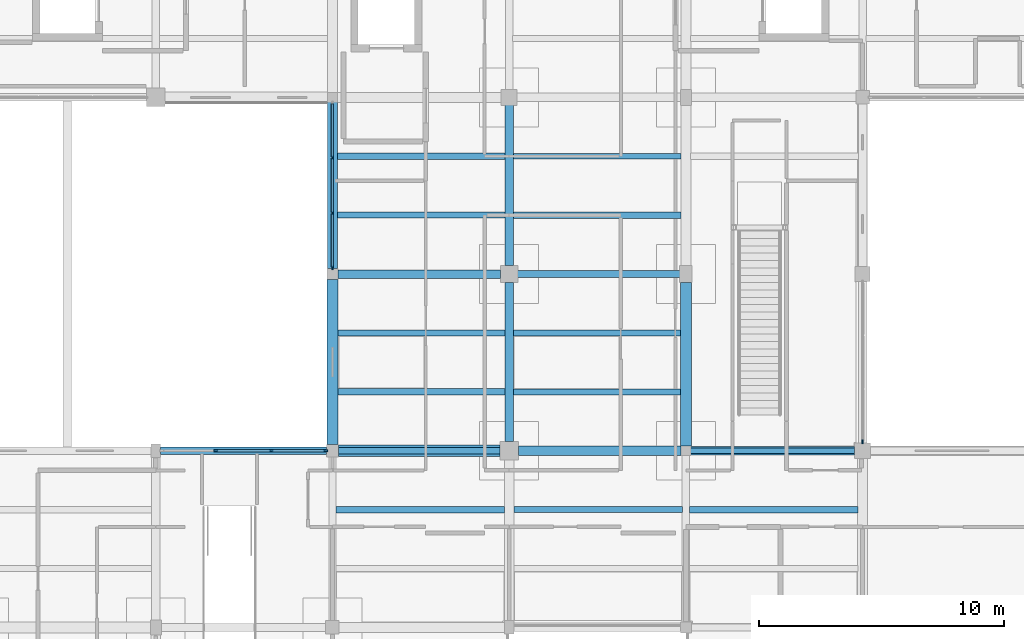
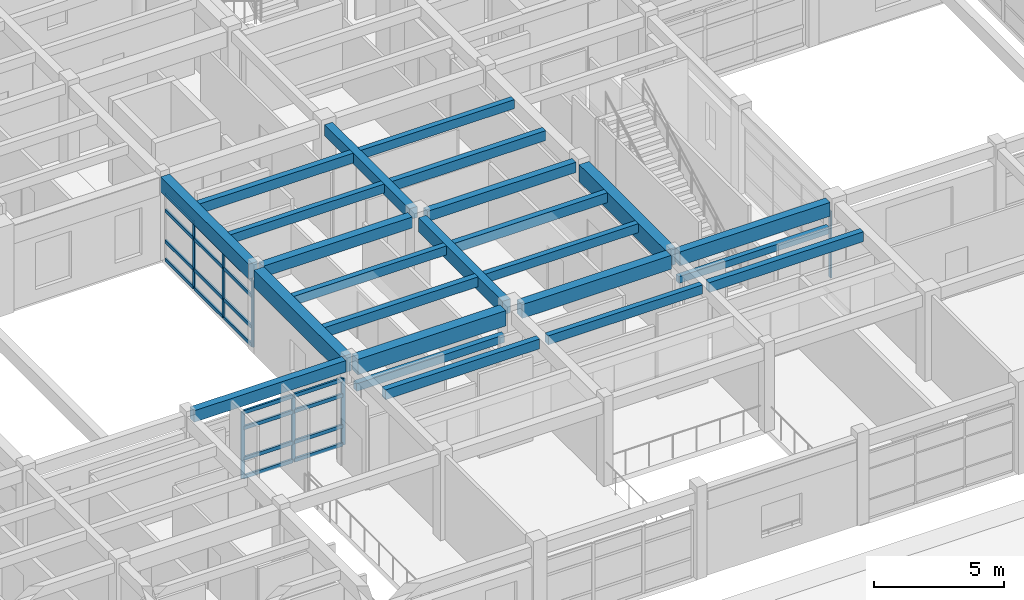
# One storey, part 35 of 110: 27 members, 24 beams, 3 elements without a shape of their own.
"""IFC4 building model written with IfcOpenShell, lengths in metres."""

from ifc_helpers import new_model, si_unit, direction, frame, origin, origin_2d, place, context, subcontext, project, spatial, rectangle, extrude, material, material_profile, profile_set, type_object, element, aggregate, save


model = new_model("IFC4")

# Units and contexts
model_context = context("Model", 3, precision=1e-05, world=origin(), true_north=direction((0.0, 1.0)))
body_context = subcontext(model_context, "Body", "Model", "MODEL_VIEW")
ifc_project = project(units=[si_unit("LENGTHUNIT", "METRE"), si_unit("AREAUNIT", "SQUARE_METRE"), si_unit("VOLUMEUNIT", "CUBIC_METRE"), si_unit("PLANEANGLEUNIT", "RADIAN"), si_unit("MASSUNIT", "GRAM", prefix="KILO")], contexts=[model_context])

# Site, building, storey
site_placement = place(None, origin())
site = spatial("IfcSite", under=ifc_project, at=site_placement, CompositionType="ELEMENT")
building_placement = place(site_placement, origin())
building = spatial("IfcBuilding", under=site, at=building_placement, Name="Steenspoor Specialist Clinic", CompositionType="ELEMENT")
storey_placement = place(building_placement, frame((0.0, 0.0, 4.800048828125)))
storey = spatial("IfcBuildingStorey", under=building, at=storey_placement, Name="L01", CompositionType="ELEMENT", Elevation=4.800048828125)

# Beams
ifc_material_1 = material(Name="Concrete C35/45", Category="concrete")
ifc_material_profile_1 = material_profile(ifc_material_1, rectangle(XDim=0.300048828125, YDim=0.47998046875, at=origin_2d()), Name="RC-BM-300X480")
ifc_profile_set_1 = profile_set([ifc_material_profile_1], Name="Concrete C35/45")
beam_type_1 = type_object("IfcBeamType", Name="BM-RC-300X480", PredefinedType="BEAM", material=ifc_profile_set_1)
beam_1_placement = place(storey_placement, frame((81.544921875, 86.75, 3.7099609375), z_axis=(1.0, 0.0, 0.0), x_axis=(0.0, 1.0, 0.0)))
element("IfcBeam", 1, at=beam_1_placement, inside=storey, type_object=beam_type_1, Name="BM-V4-L01-X0495", PredefinedType="BEAM", context=body_context, shape_type="SweptSolid", body=[
    extrude(rectangle(XDim=0.300048828125, YDim=0.47998046875, at=origin_2d()), origin(), (0.0, 0.0, 1.0), 6.610107421875),
])
ifc_material_profile_2 = material_profile(ifc_material_1, rectangle(XDim=0.35009765625, YDim=0.52001953125, at=origin_2d()), Name="RC-BM-350X520")
ifc_profile_set_2 = profile_set([ifc_material_profile_2], Name="Concrete C35/45")
beam_type_2 = type_object("IfcBeamType", Name="BM-RC-350X520", PredefinedType="BEAM", material=ifc_profile_set_2)
beam_2_placement = place(storey_placement, frame((74.219970703125, 86.75, 3.68994140625), z_axis=(1.0, 0.0, 0.0), x_axis=(0.0, 1.0, 0.0)))
element("IfcBeam", 2, at=beam_2_placement, inside=storey, type_object=beam_type_2, Name="BM-V4-L01-X0494", PredefinedType="BEAM", context=body_context, shape_type="SweptSolid", body=[
    extrude(rectangle(XDim=0.35009765625, YDim=0.52001953125, at=origin_2d()), origin(), (0.0, 0.0, 1.0), 6.635009765625),
])
beam_3_placement = place(storey_placement, frame((81.199951171875, 87.094970703125, 3.68994140625), z_axis=(0.0, 1.0, 0.0), x_axis=(-1.0, 0.0, 0.0)))
element("IfcBeam", 3, at=beam_3_placement, inside=storey, type_object=beam_type_2, Name="BM-V4-L01-Y0544", PredefinedType="BEAM", context=body_context, shape_type="SweptSolid", body=[
    extrude(rectangle(XDim=0.35009765625, YDim=0.52001953125, at=origin_2d()), origin(), (0.0, 0.0, 1.0), 6.534912109375),
])
ifc_material_profile_3 = material_profile(ifc_material_1, rectangle(XDim=0.35009765625, YDim=0.64990234375, at=origin_2d()), Name="RC-BM-350X650")
ifc_profile_set_3 = profile_set([ifc_material_profile_3], Name="Concrete C35/45")
beam_type_3 = type_object("IfcBeamType", Name="BM-RC-350X650", PredefinedType="BEAM", material=ifc_profile_set_3)
beam_4_placement = place(storey_placement, frame((88.594970703125, 79.550048828125, 3.625), z_axis=(1.0, 0.0, 0.0), x_axis=(0.0, 1.0, 0.0)))
element("IfcBeam", 4, at=beam_4_placement, inside=storey, type_object=beam_type_3, Name="BM-V4-L01-X0490", PredefinedType="BEAM", context=body_context, shape_type="SweptSolid", body=[
    extrude(rectangle(XDim=0.35009765625, YDim=0.64990234375, at=origin_2d()), origin(), (0.0, 0.0, 1.0), 6.68505859375),
])
beam_5_placement = place(storey_placement, frame((81.199951171875, 79.919921875, 3.625), z_axis=(0.0, 1.0, 0.0), x_axis=(-1.0, 0.0, 0.0)))
element("IfcBeam", 5, at=beam_5_placement, inside=storey, type_object=beam_type_3, Name="BM-V4-L01-Y0543", PredefinedType="BEAM", context=body_context, shape_type="SweptSolid", body=[
    extrude(rectangle(XDim=0.35009765625, YDim=0.64990234375, at=origin_2d()), origin(), (0.0, 0.0, 1.0), 6.485107421875),
])
ifc_material_profile_4 = material_profile(ifc_material_1, rectangle(XDim=0.39990234375, YDim=0.64990234375, at=origin_2d()), Name="RC-BM-400X650")
ifc_profile_set_4 = profile_set([ifc_material_profile_4], Name="Concrete C35/45")
beam_type_4 = type_object("IfcBeamType", Name="BM-RC-400X650", PredefinedType="BEAM", material=ifc_profile_set_4)
beam_6_placement = place(storey_placement, frame((81.570068359375, 79.550048828125, 3.625), z_axis=(1.0, 0.0, 0.0), x_axis=(0.0, 1.0, 0.0)))
element("IfcBeam", 6, at=beam_6_placement, inside=storey, type_object=beam_type_4, Name="BM-V4-L01-X0489", PredefinedType="BEAM", context=body_context, shape_type="SweptSolid", body=[
    extrude(rectangle(XDim=0.39990234375, YDim=0.64990234375, at=origin_2d()), origin(), (0.0, 0.0, 1.0), 6.635009765625),
])
ifc_material_profile_5 = material_profile(ifc_material_1, rectangle(XDim=0.39990234375, YDim=0.699951171875, at=origin_2d()), Name="RC-BM-400X700")
ifc_profile_set_5 = profile_set([ifc_material_profile_5], Name="Concrete C35/45")
beam_type_5 = type_object("IfcBeamType", Name="BM-RC-400X700", PredefinedType="BEAM", material=ifc_profile_set_5)
beam_7_placement = place(storey_placement, frame((74.0, 86.969970703125, 3.599853515625), z_axis=(0.0, 1.0, 0.0), x_axis=(-1.0, 0.0, 0.0)))
element("IfcBeam", 7, at=beam_7_placement, inside=storey, type_object=beam_type_5, Name="BM-V4-L01-Y0539", PredefinedType="BEAM", context=body_context, shape_type="SweptSolid", body=[
    extrude(rectangle(XDim=0.39990234375, YDim=0.699951171875, at=origin_2d()), origin(), (0.0, 0.0, 1.0), 6.784912109375),
])
ifc_material_profile_6 = material_profile(ifc_material_1, rectangle(XDim=0.449951171875, YDim=0.719970703125, at=origin_2d()), Name="RC-BM-450X720")
ifc_profile_set_6 = profile_set([ifc_material_profile_6], Name="Concrete C35/45")
beam_type_6 = type_object("IfcBeamType", Name="BM-RC-450X720", PredefinedType="BEAM", material=ifc_profile_set_6)
beam_8_placement = place(storey_placement, frame((74.2451171875, 79.550048828125, 3.58984375), z_axis=(1.0, 0.0, 0.0), x_axis=(0.0, 1.0, 0.0)))
element("IfcBeam", 8, at=beam_8_placement, inside=storey, type_object=beam_type_6, Name="BM-V4-L01-X0488", PredefinedType="BEAM", context=body_context, shape_type="SweptSolid", body=[
    extrude(rectangle(XDim=0.449951171875, YDim=0.719970703125, at=origin_2d()), origin(), (0.0, 0.0, 1.0), 6.5849609375),
])
ifc_material_profile_7 = material_profile(ifc_material_1, rectangle(XDim=0.449951171875, YDim=0.800048828125, at=origin_2d()), Name="RC-BM-450X800")
ifc_profile_set_7 = profile_set([ifc_material_profile_7], Name="Concrete C35/45")
beam_type_7 = type_object("IfcBeamType", Name="BM-RC-450X800", PredefinedType="BEAM", material=ifc_profile_set_7)
beam_9_placement = place(storey_placement, frame((74.0, 79.794921875, 3.550048828125), z_axis=(0.0, 1.0, 0.0), x_axis=(-1.0, 0.0, 0.0)))
element("IfcBeam", 9, at=beam_9_placement, inside=storey, type_object=beam_type_7, Name="BM-V4-L01-Y0538", PredefinedType="BEAM", context=body_context, shape_type="SweptSolid", body=[
    extrude(rectangle(XDim=0.449951171875, YDim=0.800048828125, at=origin_2d()), origin(), (0.0, 0.0, 1.0), 6.735107421875),
])
beam_10_placement = place(storey_placement, frame((88.39990234375, 79.7451171875, 3.550048828125), z_axis=(0.0, 1.0, 0.0), x_axis=(-1.0, 0.0, 0.0)))
element("IfcBeam", 10, at=beam_10_placement, inside=storey, type_object=beam_type_7, Name="BM-V4-L01-Y0548", PredefinedType="BEAM", context=body_context, shape_type="SweptSolid", body=[
    extrude(rectangle(XDim=0.449951171875, YDim=0.800048828125, at=origin_2d()), origin(), (0.0, 0.0, 1.0), 6.659912109375),
])

# Curtain wall, members
ifc_material_2 = material(Name="Thermally broken aluminium and low-emissivity glass", Category="aluminium")
curtain_wall_type_1 = type_object("IfcCurtainWallType", Name="CW-HALL-480X820", PredefinedType="USERDEFINED", material=ifc_material_2)
curtain_wall_1_placement = place(storey_placement, origin())
curtain_wall_1 = element("IfcCurtainWall", 11, at=curtain_wall_1_placement, inside=storey, type_object=curtain_wall_type_1, Name="Unitised Curtain Wall CW-V4-L01-075", ObjectType="UNITISED GLAZING", PredefinedType="USERDEFINED")
ifc_material_3 = material(Name="Thermally broken aluminium 6063-T6", Category="aluminium")
ifc_material_profile_8 = material_profile(ifc_material_3, rectangle(XDim=0.06494140625, YDim=0.14990234375, at=origin_2d()), Name="CWM-65X150")
ifc_profile_set_8 = profile_set([ifc_material_profile_8], Name="Thermally broken aluminium 6063-T6")
member_type_1 = type_object("IfcMemberType", Name="CW-MULL-65X150", PredefinedType="MULLION", material=ifc_profile_set_8)
member_1_placement = place(storey_placement, frame((74.0, 87.007568359375, 0.0), z_axis=(0.0, 0.0, 1.0), x_axis=(-1.0, 0.0, 0.0)))
member_1 = element("IfcMember", 12, at=member_1_placement, type_object=member_type_1, Name="CW-03 mullion 1", PredefinedType="MULLION", context=body_context, shape_type="SweptSolid", body=[
    extrude(rectangle(XDim=0.06494140625, YDim=0.14990234375, at=origin_2d()), origin(), (0.0, 0.0, 1.0), 3.1298828125),
])
member_2_placement = place(storey_placement, frame((74.0, 89.2333984375, 0.0), z_axis=(0.0, 0.0, 1.0), x_axis=(-1.0, 0.0, 0.0)))
member_2 = element("IfcMember", 13, at=member_2_placement, type_object=member_type_1, Name="CW-03 mullion 2", PredefinedType="MULLION", context=body_context, shape_type="SweptSolid", body=[
    extrude(rectangle(XDim=0.06494140625, YDim=0.14990234375, at=origin_2d()), origin(), (0.0, 0.0, 1.0), 3.1298828125),
])
member_3_placement = place(storey_placement, frame((74.0, 91.49169921875, 0.0), z_axis=(0.0, 0.0, 1.0), x_axis=(-1.0, 0.0, 0.0)))
member_3 = element("IfcMember", 14, at=member_3_placement, type_object=member_type_1, Name="CW-03 mullion 3", PredefinedType="MULLION", context=body_context, shape_type="SweptSolid", body=[
    extrude(rectangle(XDim=0.06494140625, YDim=0.14990234375, at=origin_2d()), origin(), (0.0, 0.0, 1.0), 3.1298828125),
])

curtain_wall_type_2 = type_object("IfcCurtainWallType", Name="CW-HALL-650X820", PredefinedType="USERDEFINED", material=ifc_material_2)
curtain_wall_2_placement = place(storey_placement, origin())
curtain_wall_2 = element("IfcCurtainWall", 15, at=curtain_wall_2_placement, inside=storey, type_object=curtain_wall_type_2, Name="Unitised Curtain Wall CW-V4-L01-074", ObjectType="UNITISED GLAZING", PredefinedType="USERDEFINED")
ifc_material_profile_9 = material_profile(ifc_material_3, rectangle(XDim=0.070068359375, YDim=0.1650390625, at=origin_2d()), Name="CWM-70X165")
ifc_profile_set_9 = profile_set([ifc_material_profile_9], Name="Thermally broken aluminium 6063-T6")
member_type_2 = type_object("IfcMemberType", Name="CW-MULL-70X165", PredefinedType="MULLION", material=ifc_profile_set_9)
member_4_placement = place(storey_placement, frame((69.25, 79.550048828125, 0.0), z_axis=(0.0, 0.0, 1.0), x_axis=(0.0, 1.0, 0.0)))
member_4 = element("IfcMember", 16, at=member_4_placement, type_object=member_type_2, Name="CW-02 mullion 2", PredefinedType="MULLION", context=body_context, shape_type="SweptSolid", body=[
    extrude(rectangle(XDim=0.070068359375, YDim=0.1650390625, at=origin_2d()), origin(), (0.0, 0.0, 1.0), 3.1298828125),
])
member_5_placement = place(storey_placement, frame((71.5, 79.550048828125, 0.0), z_axis=(0.0, 0.0, 1.0), x_axis=(0.0, 1.0, 0.0)))
member_5 = element("IfcMember", 17, at=member_5_placement, type_object=member_type_2, Name="CW-02 mullion 3", PredefinedType="MULLION", context=body_context, shape_type="SweptSolid", body=[
    extrude(rectangle(XDim=0.070068359375, YDim=0.1650390625, at=origin_2d()), origin(), (0.0, 0.0, 1.0), 3.1298828125),
])
member_6_placement = place(storey_placement, frame((73.715087890625, 79.550048828125, 0.0), z_axis=(0.0, 0.0, 1.0), x_axis=(0.0, 1.0, 0.0)))
member_6 = element("IfcMember", 18, at=member_6_placement, type_object=member_type_2, Name="CW-02 mullion 4", PredefinedType="MULLION", context=body_context, shape_type="SweptSolid", body=[
    extrude(rectangle(XDim=0.070068359375, YDim=0.1650390625, at=origin_2d()), origin(), (0.0, 0.0, 1.0), 3.1298828125),
])

# Curtain wall, member
curtain_wall_type_3 = type_object("IfcCurtainWallType", Name="CW-L00-240X415", PredefinedType="USERDEFINED", material=ifc_material_2)
curtain_wall_3_placement = place(storey_placement, origin())
curtain_wall_3 = element("IfcCurtainWall", 19, at=curtain_wall_3_placement, inside=storey, type_object=curtain_wall_type_3, Name="Unitised Curtain Wall CW-V4-L01-080", ObjectType="UNITISED GLAZING", PredefinedType="USERDEFINED")
member_7_placement = place(storey_placement, frame((95.60009765625, 79.909912109375, 0.0), z_axis=(0.0, 0.0, 1.0), x_axis=(1.0, 0.0, 0.0)))
member_7 = element("IfcMember", 20, at=member_7_placement, type_object=member_type_2, Name="CW-08 mullion 4", PredefinedType="MULLION", context=body_context, shape_type="SweptSolid", body=[
    extrude(rectangle(XDim=0.070068359375, YDim=0.1650390625, at=origin_2d()), origin(), (0.0, 0.0, 1.0), 3.1298828125),
])
aggregate(curtain_wall_3, [member_7])

# Member
ifc_material_profile_10 = material_profile(ifc_material_3, rectangle(XDim=0.080078125, YDim=0.159912109375, at=origin_2d()), Name="CWT-80X160")
ifc_profile_set_10 = profile_set([ifc_material_profile_10], Name="Thermally broken aluminium 6063-T6")
member_type_3 = type_object("IfcMemberType", Name="CW-TRAN-80X160", PredefinedType="USERDEFINED", material=ifc_profile_set_10)
member_8_placement = place(storey_placement, frame((74.0, 87.0400390625, 0.0400390625), z_axis=(0.0, 1.0, 0.0), x_axis=(-1.0, 0.0, 0.0)))
member_8 = element("IfcMember", 21, at=member_8_placement, type_object=member_type_3, Name="CW-03 transom 1.1", ObjectType="TRANSOM", PredefinedType="USERDEFINED", context=body_context, shape_type="SweptSolid", body=[
    extrude(rectangle(XDim=0.080078125, YDim=0.159912109375, at=origin_2d()), origin(), (0.0, 0.0, 1.0), 2.160888671875),
])

member_9_placement = place(storey_placement, frame((74.0, 87.0400390625, 0.89990234375), z_axis=(0.0, 1.0, 0.0), x_axis=(-1.0, 0.0, 0.0)))
member_9 = element("IfcMember", 22, at=member_9_placement, type_object=member_type_3, Name="CW-03 transom 1.2", ObjectType="TRANSOM", PredefinedType="USERDEFINED", context=body_context, shape_type="SweptSolid", body=[
    extrude(rectangle(XDim=0.080078125, YDim=0.159912109375, at=origin_2d()), origin(), (0.0, 0.0, 1.0), 2.160888671875),
])

member_10_placement = place(storey_placement, frame((74.0, 87.0400390625, 2.349853515625), z_axis=(0.0, 1.0, 0.0), x_axis=(-1.0, 0.0, 0.0)))
member_10 = element("IfcMember", 23, at=member_10_placement, type_object=member_type_3, Name="CW-03 transom 1.3", ObjectType="TRANSOM", PredefinedType="USERDEFINED", context=body_context, shape_type="SweptSolid", body=[
    extrude(rectangle(XDim=0.080078125, YDim=0.159912109375, at=origin_2d()), origin(), (0.0, 0.0, 1.0), 2.160888671875),
])

member_11_placement = place(storey_placement, frame((74.0, 87.0400390625, 3.08984375), z_axis=(0.0, 1.0, 0.0), x_axis=(-1.0, 0.0, 0.0)))
member_11 = element("IfcMember", 24, at=member_11_placement, type_object=member_type_3, Name="CW-03 transom 1.4", ObjectType="TRANSOM", PredefinedType="USERDEFINED", context=body_context, shape_type="SweptSolid", body=[
    extrude(rectangle(XDim=0.080078125, YDim=0.159912109375, at=origin_2d()), origin(), (0.0, 0.0, 1.0), 2.160888671875),
])

member_12_placement = place(storey_placement, frame((74.0, 89.265869140625, 0.0400390625), z_axis=(0.0, 1.0, 0.0), x_axis=(-1.0, 0.0, 0.0)))
member_12 = element("IfcMember", 25, at=member_12_placement, type_object=member_type_3, Name="CW-03 transom 2.1", ObjectType="TRANSOM", PredefinedType="USERDEFINED", context=body_context, shape_type="SweptSolid", body=[
    extrude(rectangle(XDim=0.080078125, YDim=0.159912109375, at=origin_2d()), origin(), (0.0, 0.0, 1.0), 2.193359375),
])

member_13_placement = place(storey_placement, frame((74.0, 89.265869140625, 0.89990234375), z_axis=(0.0, 1.0, 0.0), x_axis=(-1.0, 0.0, 0.0)))
member_13 = element("IfcMember", 26, at=member_13_placement, type_object=member_type_3, Name="CW-03 transom 2.2", ObjectType="TRANSOM", PredefinedType="USERDEFINED", context=body_context, shape_type="SweptSolid", body=[
    extrude(rectangle(XDim=0.080078125, YDim=0.159912109375, at=origin_2d()), origin(), (0.0, 0.0, 1.0), 2.193359375),
])

member_14_placement = place(storey_placement, frame((74.0, 89.265869140625, 2.349853515625), z_axis=(0.0, 1.0, 0.0), x_axis=(-1.0, 0.0, 0.0)))
member_14 = element("IfcMember", 27, at=member_14_placement, type_object=member_type_3, Name="CW-03 transom 2.3", ObjectType="TRANSOM", PredefinedType="USERDEFINED", context=body_context, shape_type="SweptSolid", body=[
    extrude(rectangle(XDim=0.080078125, YDim=0.159912109375, at=origin_2d()), origin(), (0.0, 0.0, 1.0), 2.193359375),
])

member_15_placement = place(storey_placement, frame((74.0, 89.265869140625, 3.08984375), z_axis=(0.0, 1.0, 0.0), x_axis=(-1.0, 0.0, 0.0)))
member_15 = element("IfcMember", 28, at=member_15_placement, type_object=member_type_3, Name="CW-03 transom 2.4", ObjectType="TRANSOM", PredefinedType="USERDEFINED", context=body_context, shape_type="SweptSolid", body=[
    extrude(rectangle(XDim=0.080078125, YDim=0.159912109375, at=origin_2d()), origin(), (0.0, 0.0, 1.0), 2.193359375),
])

member_16_placement = place(storey_placement, frame((74.0, 91.524169921875, 0.0400390625), z_axis=(0.0, 1.0, 0.0), x_axis=(-1.0, 0.0, 0.0)))
member_16 = element("IfcMember", 29, at=member_16_placement, type_object=member_type_3, Name="CW-03 transom 3.1", ObjectType="TRANSOM", PredefinedType="USERDEFINED", context=body_context, shape_type="SweptSolid", body=[
    extrude(rectangle(XDim=0.080078125, YDim=0.159912109375, at=origin_2d()), origin(), (0.0, 0.0, 1.0), 2.160888671875),
])

member_17_placement = place(storey_placement, frame((74.0, 91.524169921875, 0.89990234375), z_axis=(0.0, 1.0, 0.0), x_axis=(-1.0, 0.0, 0.0)))
member_17 = element("IfcMember", 30, at=member_17_placement, type_object=member_type_3, Name="CW-03 transom 3.2", ObjectType="TRANSOM", PredefinedType="USERDEFINED", context=body_context, shape_type="SweptSolid", body=[
    extrude(rectangle(XDim=0.080078125, YDim=0.159912109375, at=origin_2d()), origin(), (0.0, 0.0, 1.0), 2.160888671875),
])

member_18_placement = place(storey_placement, frame((74.0, 91.524169921875, 2.349853515625), z_axis=(0.0, 1.0, 0.0), x_axis=(-1.0, 0.0, 0.0)))
member_18 = element("IfcMember", 31, at=member_18_placement, type_object=member_type_3, Name="CW-03 transom 3.3", ObjectType="TRANSOM", PredefinedType="USERDEFINED", context=body_context, shape_type="SweptSolid", body=[
    extrude(rectangle(XDim=0.080078125, YDim=0.159912109375, at=origin_2d()), origin(), (0.0, 0.0, 1.0), 2.160888671875),
])

member_19_placement = place(storey_placement, frame((74.0, 91.524169921875, 3.08984375), z_axis=(0.0, 1.0, 0.0), x_axis=(-1.0, 0.0, 0.0)))
member_19 = element("IfcMember", 32, at=member_19_placement, type_object=member_type_3, Name="CW-03 transom 3.4", ObjectType="TRANSOM", PredefinedType="USERDEFINED", context=body_context, shape_type="SweptSolid", body=[
    extrude(rectangle(XDim=0.080078125, YDim=0.159912109375, at=origin_2d()), origin(), (0.0, 0.0, 1.0), 2.160888671875),
])

aggregate(curtain_wall_1, [member_1, member_2, member_3, member_8, member_9, member_10, member_11, member_12, member_13, member_14, member_15, member_16, member_17, member_18, member_19])

ifc_material_profile_11 = material_profile(ifc_material_3, rectangle(XDim=0.090087890625, YDim=0.175048828125, at=origin_2d()), Name="CWT-90X175")
ifc_profile_set_11 = profile_set([ifc_material_profile_11], Name="Thermally broken aluminium 6063-T6")
member_type_4 = type_object("IfcMemberType", Name="CW-TRAN-90X175", PredefinedType="USERDEFINED", material=ifc_profile_set_11)
member_20_placement = place(storey_placement, frame((69.284912109375, 79.550048828125, 0.044921875), z_axis=(1.0, 0.0, 0.0), x_axis=(0.0, 1.0, 0.0)))
member_20 = element("IfcMember", 33, at=member_20_placement, type_object=member_type_4, Name="CW-02 transom 2.1", ObjectType="TRANSOM", PredefinedType="USERDEFINED", context=body_context, shape_type="SweptSolid", body=[
    extrude(rectangle(XDim=0.090087890625, YDim=0.175048828125, at=origin_2d()), origin(), (0.0, 0.0, 1.0), 2.18017578125),
])

member_21_placement = place(storey_placement, frame((69.284912109375, 79.550048828125, 0.89990234375), z_axis=(1.0, 0.0, 0.0), x_axis=(0.0, 1.0, 0.0)))
member_21 = element("IfcMember", 34, at=member_21_placement, type_object=member_type_4, Name="CW-02 transom 2.2", ObjectType="TRANSOM", PredefinedType="USERDEFINED", context=body_context, shape_type="SweptSolid", body=[
    extrude(rectangle(XDim=0.090087890625, YDim=0.175048828125, at=origin_2d()), origin(), (0.0, 0.0, 1.0), 2.18017578125),
])

member_22_placement = place(storey_placement, frame((69.284912109375, 79.550048828125, 2.349853515625), z_axis=(1.0, 0.0, 0.0), x_axis=(0.0, 1.0, 0.0)))
member_22 = element("IfcMember", 35, at=member_22_placement, type_object=member_type_4, Name="CW-02 transom 2.3", ObjectType="TRANSOM", PredefinedType="USERDEFINED", context=body_context, shape_type="SweptSolid", body=[
    extrude(rectangle(XDim=0.090087890625, YDim=0.175048828125, at=origin_2d()), origin(), (0.0, 0.0, 1.0), 2.18017578125),
])

member_23_placement = place(storey_placement, frame((69.284912109375, 79.550048828125, 3.0849609375), z_axis=(1.0, 0.0, 0.0), x_axis=(0.0, 1.0, 0.0)))
member_23 = element("IfcMember", 36, at=member_23_placement, type_object=member_type_4, Name="CW-02 transom 2.4", ObjectType="TRANSOM", PredefinedType="USERDEFINED", context=body_context, shape_type="SweptSolid", body=[
    extrude(rectangle(XDim=0.090087890625, YDim=0.175048828125, at=origin_2d()), origin(), (0.0, 0.0, 1.0), 2.18017578125),
])

member_24_placement = place(storey_placement, frame((71.534912109375, 79.550048828125, 0.044921875), z_axis=(1.0, 0.0, 0.0), x_axis=(0.0, 1.0, 0.0)))
member_24 = element("IfcMember", 37, at=member_24_placement, type_object=member_type_4, Name="CW-02 transom 3.1", ObjectType="TRANSOM", PredefinedType="USERDEFINED", context=body_context, shape_type="SweptSolid", body=[
    extrude(rectangle(XDim=0.090087890625, YDim=0.175048828125, at=origin_2d()), origin(), (0.0, 0.0, 1.0), 2.14501953125),
])

member_25_placement = place(storey_placement, frame((71.534912109375, 79.550048828125, 0.89990234375), z_axis=(1.0, 0.0, 0.0), x_axis=(0.0, 1.0, 0.0)))
member_25 = element("IfcMember", 38, at=member_25_placement, type_object=member_type_4, Name="CW-02 transom 3.2", ObjectType="TRANSOM", PredefinedType="USERDEFINED", context=body_context, shape_type="SweptSolid", body=[
    extrude(rectangle(XDim=0.090087890625, YDim=0.175048828125, at=origin_2d()), origin(), (0.0, 0.0, 1.0), 2.14501953125),
])

member_26_placement = place(storey_placement, frame((71.534912109375, 79.550048828125, 2.349853515625), z_axis=(1.0, 0.0, 0.0), x_axis=(0.0, 1.0, 0.0)))
member_26 = element("IfcMember", 39, at=member_26_placement, type_object=member_type_4, Name="CW-02 transom 3.3", ObjectType="TRANSOM", PredefinedType="USERDEFINED", context=body_context, shape_type="SweptSolid", body=[
    extrude(rectangle(XDim=0.090087890625, YDim=0.175048828125, at=origin_2d()), origin(), (0.0, 0.0, 1.0), 2.14501953125),
])

member_27_placement = place(storey_placement, frame((71.534912109375, 79.550048828125, 3.0849609375), z_axis=(1.0, 0.0, 0.0), x_axis=(0.0, 1.0, 0.0)))
member_27 = element("IfcMember", 40, at=member_27_placement, type_object=member_type_4, Name="CW-02 transom 3.4", ObjectType="TRANSOM", PredefinedType="USERDEFINED", context=body_context, shape_type="SweptSolid", body=[
    extrude(rectangle(XDim=0.090087890625, YDim=0.175048828125, at=origin_2d()), origin(), (0.0, 0.0, 1.0), 2.14501953125),
])

aggregate(curtain_wall_2, [member_4, member_5, member_6, member_20, member_21, member_22, member_23, member_24, member_25, member_26, member_27])

# Beams
ifc_material_profile_12 = material_profile(ifc_material_1, rectangle(XDim=0.239990234375, YDim=0.419921875, at=origin_2d()), Name="RC-JT-240X420")
ifc_profile_set_12 = profile_set([ifc_material_profile_12], Name="Concrete C35/45")
beam_type_8 = type_object("IfcBeamType", Name="JT-RC-240X420", PredefinedType="JOIST", material=ifc_profile_set_12)
beam_11_placement = place(storey_placement, frame((74.219970703125, 84.35009765625, 3.739990234375), z_axis=(1.0, 0.0, 0.0), x_axis=(0.0, 1.0, 0.0)))
element("IfcBeam", 41, at=beam_11_placement, inside=storey, type_object=beam_type_8, Name="JT-V4-L01-0599", PredefinedType="JOIST", context=body_context, shape_type="SweptSolid", body=[
    extrude(rectangle(XDim=0.239990234375, YDim=0.419921875, at=origin_2d()), origin(), (0.0, 0.0, 1.0), 6.81005859375),
])
beam_12_placement = place(storey_placement, frame((74.195068359375, 89.14990234375, 3.739990234375), z_axis=(1.0, 0.0, 0.0), x_axis=(0.0, 1.0, 0.0)))
element("IfcBeam", 42, at=beam_12_placement, inside=storey, type_object=beam_type_8, Name="JT-V4-L01-0600", PredefinedType="JOIST", context=body_context, shape_type="SweptSolid", body=[
    extrude(rectangle(XDim=0.239990234375, YDim=0.419921875, at=origin_2d()), origin(), (0.0, 0.0, 1.0), 6.8349609375),
])
beam_13_placement = place(storey_placement, frame((81.39501953125, 77.14990234375, 3.739990234375), z_axis=(1.0, 0.0, 0.0), x_axis=(0.0, 1.0, 0.0)))
element("IfcBeam", 43, at=beam_13_placement, inside=storey, type_object=beam_type_8, Name="JT-V4-L01-0605", PredefinedType="JOIST", context=body_context, shape_type="SweptSolid", body=[
    extrude(rectangle(XDim=0.239990234375, YDim=0.419921875, at=origin_2d()), origin(), (0.0, 0.0, 1.0), 6.85986328125),
])
beam_14_placement = place(storey_placement, frame((81.3701171875, 81.949951171875, 3.739990234375), z_axis=(1.0, 0.0, 0.0), x_axis=(0.0, 1.0, 0.0)))
element("IfcBeam", 44, at=beam_14_placement, inside=storey, type_object=beam_type_8, Name="JT-V4-L01-0606", PredefinedType="JOIST", context=body_context, shape_type="SweptSolid", body=[
    extrude(rectangle(XDim=0.239990234375, YDim=0.419921875, at=origin_2d()), origin(), (0.0, 0.0, 1.0), 6.809814453125),
])
beam_15_placement = place(storey_placement, frame((81.3701171875, 91.550048828125, 3.739990234375), z_axis=(1.0, 0.0, 0.0), x_axis=(0.0, 1.0, 0.0)))
element("IfcBeam", 45, at=beam_15_placement, inside=storey, type_object=beam_type_8, Name="JT-V4-L01-0609", PredefinedType="JOIST", context=body_context, shape_type="SweptSolid", body=[
    extrude(rectangle(XDim=0.239990234375, YDim=0.419921875, at=origin_2d()), origin(), (0.0, 0.0, 1.0), 6.8349609375),
])
ifc_material_profile_13 = material_profile(ifc_material_1, rectangle(XDim=0.260009765625, YDim=0.4599609375, at=origin_2d()), Name="RC-JT-260X460")
ifc_profile_set_13 = profile_set([ifc_material_profile_13], Name="Concrete C35/45")
beam_type_9 = type_object("IfcBeamType", Name="JT-RC-260X460", PredefinedType="JOIST", material=ifc_profile_set_13)
beam_16_placement = place(storey_placement, frame((74.14501953125, 77.14990234375, 3.719970703125), z_axis=(1.0, 0.0, 0.0), x_axis=(0.0, 1.0, 0.0)))
element("IfcBeam", 46, at=beam_16_placement, inside=storey, type_object=beam_type_9, Name="JT-V4-L01-0597", PredefinedType="JOIST", context=body_context, shape_type="SweptSolid", body=[
    extrude(rectangle(XDim=0.260009765625, YDim=0.4599609375, at=origin_2d()), origin(), (0.0, 0.0, 1.0), 6.85986328125),
])
beam_17_placement = place(storey_placement, frame((74.219970703125, 81.949951171875, 3.719970703125), z_axis=(1.0, 0.0, 0.0), x_axis=(0.0, 1.0, 0.0)))
element("IfcBeam", 47, at=beam_17_placement, inside=storey, type_object=beam_type_9, Name="JT-V4-L01-0598", PredefinedType="JOIST", context=body_context, shape_type="SweptSolid", body=[
    extrude(rectangle(XDim=0.260009765625, YDim=0.4599609375, at=origin_2d()), origin(), (0.0, 0.0, 1.0), 6.81005859375),
])
beam_18_placement = place(storey_placement, frame((74.195068359375, 91.550048828125, 3.719970703125), z_axis=(1.0, 0.0, 0.0), x_axis=(0.0, 1.0, 0.0)))
element("IfcBeam", 48, at=beam_18_placement, inside=storey, type_object=beam_type_9, Name="JT-V4-L01-0601", PredefinedType="JOIST", context=body_context, shape_type="SweptSolid", body=[
    extrude(rectangle(XDim=0.260009765625, YDim=0.4599609375, at=origin_2d()), origin(), (0.0, 0.0, 1.0), 6.8349609375),
])
beam_19_placement = place(storey_placement, frame((81.3701171875, 84.35009765625, 3.719970703125), z_axis=(1.0, 0.0, 0.0), x_axis=(0.0, 1.0, 0.0)))
element("IfcBeam", 49, at=beam_19_placement, inside=storey, type_object=beam_type_9, Name="JT-V4-L01-0607", PredefinedType="JOIST", context=body_context, shape_type="SweptSolid", body=[
    extrude(rectangle(XDim=0.260009765625, YDim=0.4599609375, at=origin_2d()), origin(), (0.0, 0.0, 1.0), 6.809814453125),
])
beam_20_placement = place(storey_placement, frame((81.3701171875, 89.14990234375, 3.719970703125), z_axis=(1.0, 0.0, 0.0), x_axis=(0.0, 1.0, 0.0)))
element("IfcBeam", 50, at=beam_20_placement, inside=storey, type_object=beam_type_9, Name="JT-V4-L01-0608", PredefinedType="JOIST", context=body_context, shape_type="SweptSolid", body=[
    extrude(rectangle(XDim=0.260009765625, YDim=0.4599609375, at=origin_2d()), origin(), (0.0, 0.0, 1.0), 6.8349609375),
])
beam_21_placement = place(storey_placement, frame((88.544921875, 77.14990234375, 3.719970703125), z_axis=(1.0, 0.0, 0.0), x_axis=(0.0, 1.0, 0.0)))
element("IfcBeam", 51, at=beam_21_placement, inside=storey, type_object=beam_type_9, Name="JT-V4-L01-0613", PredefinedType="JOIST", context=body_context, shape_type="SweptSolid", body=[
    extrude(rectangle(XDim=0.260009765625, YDim=0.4599609375, at=origin_2d()), origin(), (0.0, 0.0, 1.0), 6.860107421875),
])
ifc_material_profile_14 = material_profile(ifc_material_1, rectangle(XDim=0.219970703125, YDim=0.320068359375, at=origin_2d()), Name="RC-LN-220X320")
ifc_profile_set_14 = profile_set([ifc_material_profile_14], Name="Concrete C35/45")
beam_type_10 = type_object("IfcBeamType", Name="LN-RC-220X320", PredefinedType="LINTEL", material=ifc_profile_set_14)
beam_22_placement = place(storey_placement, frame((88.594970703125, 79.550048828125, 2.58984375), z_axis=(1.0, 0.0, 0.0), x_axis=(0.0, 1.0, 0.0)))
element("IfcBeam", 52, at=beam_22_placement, inside=storey, type_object=beam_type_10, Name="LN-INT-B04", PredefinedType="LINTEL", context=body_context, shape_type="SweptSolid", body=[
    extrude(rectangle(XDim=0.219970703125, YDim=0.320068359375, at=origin_2d()), origin(), (0.0, 0.0, 1.0), 6.68505859375),
])
ifc_material_profile_15 = material_profile(ifc_material_1, rectangle(XDim=0.25, YDim=0.360107421875, at=origin_2d()), Name="RC-LN-250X360")
ifc_profile_set_15 = profile_set([ifc_material_profile_15], Name="Concrete C35/45")
beam_type_11 = type_object("IfcBeamType", Name="LN-RC-250X360", PredefinedType="LINTEL", material=ifc_profile_set_15)
beam_23_placement = place(storey_placement, frame((74.2451171875, 79.550048828125, 2.570068359375), z_axis=(1.0, 0.0, 0.0), x_axis=(0.0, 1.0, 0.0)))
element("IfcBeam", 53, at=beam_23_placement, inside=storey, type_object=beam_type_11, Name="LN-INT-B03", PredefinedType="LINTEL", context=body_context, shape_type="SweptSolid", body=[
    extrude(rectangle(XDim=0.25, YDim=0.360107421875, at=origin_2d()), origin(), (0.0, 0.0, 1.0), 6.5849609375),
])
ifc_material_profile_16 = material_profile(ifc_material_1, rectangle(XDim=0.320068359375, YDim=0.5400390625, at=origin_2d()), Name="RC-SP-320X540")
ifc_profile_set_16 = profile_set([ifc_material_profile_16], Name="Concrete C35/45")
beam_type_12 = type_object("IfcBeamType", Name="SP-RC-320X540", PredefinedType="SPANDREL", material=ifc_profile_set_16)
beam_24_placement = place(storey_placement, frame((66.9951171875, 79.550048828125, 3.764892578125), z_axis=(1.0, 0.0, 0.0), x_axis=(0.0, 1.0, 0.0)))
element("IfcBeam", 54, at=beam_24_placement, inside=storey, type_object=beam_type_12, Name="BMTIER-V4-L01-X02-02", PredefinedType="SPANDREL", context=body_context, shape_type="SweptSolid", body=[
    extrude(rectangle(XDim=0.320068359375, YDim=0.5400390625, at=origin_2d()), origin(), (0.0, 0.0, 1.0), 6.759765625),
])

save(model, "model.ifc")
